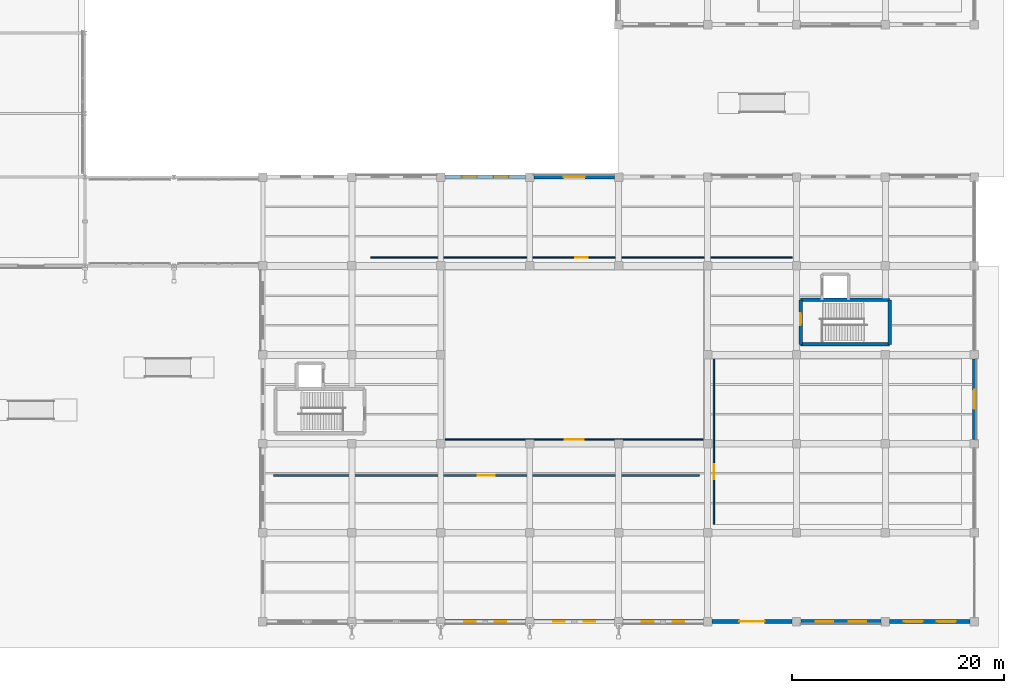
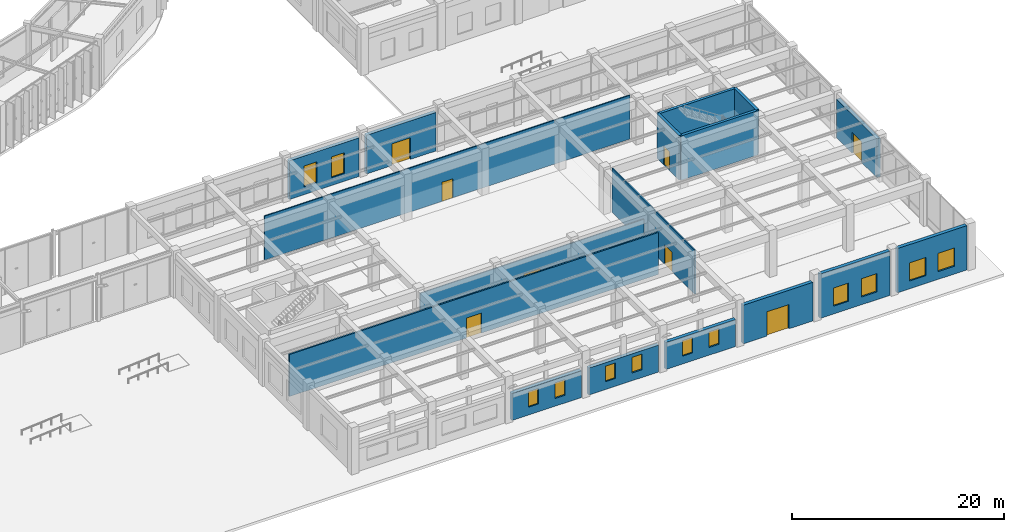
# One storey, part 132 of 157: 17 walls, 12 windows, 8 doors, 20 openings.
"""IFC4 building model written with IfcOpenShell, lengths in metres."""

from ifc_helpers import new_model, si_unit, direction, frame, frame_2d, origin, place, context, subcontext, project, spatial, rectangle, extrude, material, layer, layer_set, type_object, element, fill, save


model = new_model("IFC4")

# Units and contexts
model_context = context("Model", 3, precision=1e-05, world=origin(), true_north=direction((0.0, 1.0)))
body_context = subcontext(model_context, "Body", "Model", "MODEL_VIEW")
ifc_project = project(units=[si_unit("LENGTHUNIT", "METRE"), si_unit("AREAUNIT", "SQUARE_METRE"), si_unit("VOLUMEUNIT", "CUBIC_METRE"), si_unit("PLANEANGLEUNIT", "RADIAN"), si_unit("MASSUNIT", "GRAM", prefix="KILO"), si_unit("THERMODYNAMICTEMPERATUREUNIT", "KELVIN"), si_unit("POWERUNIT", "WATT")], contexts=[model_context])

# Site, building, storey
site_placement = place(None, origin())
site = spatial("IfcSite", under=ifc_project, at=site_placement, CompositionType="ELEMENT")
building_placement = place(site_placement, origin())
building = spatial("IfcBuilding", under=site, at=building_placement, Name="Darbajah Civic Hall", CompositionType="ELEMENT")
storey_placement = place(building_placement, origin())
storey = spatial("IfcBuildingStorey", under=building, at=storey_placement, Name="L00", CompositionType="ELEMENT", Elevation=0.0)

# Walls
ifc_material_1 = material(Name="Concrete C45/55", Category="concrete")
ifc_layer_1 = layer(ifc_material_1, 0.300048828125, Name="Concrete C45/55")
ifc_layer_set_1 = layer_set([ifc_layer_1], Name="Concrete C45/55")
wall_type_1 = type_object("IfcWallType", Name="Core Shear Wall 300mm", PredefinedType="SHEAR", material=ifc_layer_set_1)
wall_1_placement = place(storey_placement, frame((161.800048828125, 26.199951171875, 0.0), z_axis=(0.0, 0.0, 1.0), x_axis=(1.0, 0.0, 0.0)))
element("IfcWall", 1, at=wall_1_placement, inside=storey, type_object=wall_type_1, Name="L00 core C07 shear wall S", PredefinedType="SHEAR", context=body_context, shape_type="SweptSolid", body=[
    extrude(rectangle(XDim=8.39990234375, YDim=0.300048828125, at=frame_2d((4.199951171875, 0.0))), origin(), (0.0, 0.0, 1.0), 5.1201171875),
])
wall_2_placement = place(storey_placement, frame((170.199951171875, 26.199951171875, 0.0), z_axis=(0.0, 0.0, 1.0), x_axis=(0.0, 1.0, 0.0)))
element("IfcWall", 2, at=wall_2_placement, inside=storey, type_object=wall_type_1, Name="L00 core C07 shear wall E", PredefinedType="SHEAR", context=body_context, shape_type="SweptSolid", body=[
    extrude(rectangle(XDim=4.199951171875, YDim=0.300048828125, at=frame_2d((2.10009765625, 0.0))), origin(), (0.0, 0.0, 1.0), 5.1201171875),
])
wall_3_placement = place(storey_placement, frame((170.199951171875, 30.39990234375, 0.0), z_axis=(0.0, 0.0, 1.0), x_axis=(-1.0, 0.0, 0.0)))
element("IfcWall", 3, at=wall_3_placement, inside=storey, type_object=wall_type_1, Name="L00 core C07 shear wall N", PredefinedType="SHEAR", context=body_context, shape_type="SweptSolid", body=[
    extrude(rectangle(XDim=8.39990234375, YDim=0.300048828125, at=frame_2d((4.199951171875, 0.0))), origin(), (0.0, 0.0, 1.0), 5.1201171875),
])

# Wall, opening, door
wall_4_placement = place(storey_placement, frame((161.800048828125, 30.39990234375, 0.0), z_axis=(0.0, 0.0, 1.0), x_axis=(0.0, -1.0, 0.0)))
wall_4 = element("IfcWall", 4, at=wall_4_placement, inside=storey, type_object=wall_type_1, Name="L00 core C07 shear wall W", PredefinedType="SHEAR", context=body_context, shape_type="SweptSolid", body=[
    extrude(rectangle(XDim=4.199951171875, YDim=0.300048828125, at=frame_2d((2.10009765625, 0.0))), origin(), (0.0, 0.0, 1.0), 5.1201171875),
])
opening_1_placement = place(wall_4_placement, frame((1.25, 0.0, 0.0)))
opening_1 = element("IfcOpeningElement", 5, at=opening_1_placement, cuts=wall_4, Name="Opening SD-0081", PredefinedType="OPENING", context=body_context, shape_type="SweptSolid", body=[
    extrude(rectangle(XDim=1.14990234375, YDim=2.199951171875, at=frame_2d((0.574951171875, 1.10009765625))), frame((0.0, 0.159912109375, 0.0), z_axis=(0.0, -1.0, 0.0), x_axis=(1.0, 0.0, 0.0)), (0.0, 0.0, 1.0), 0.320068359375),
])
ifc_material_2 = material(Name="Steel Rated Core Door", Category="steel")
door_type_1 = type_object("IfcDoorType", Name="Interior Door 1150x2200", OperationType="NOTDEFINED", PredefinedType="DOOR", material=ifc_material_2)
door_1_placement = place(opening_1_placement, frame((1.14990234375, 0.0, 0.0), z_axis=(0.0, 0.0, 1.0), x_axis=(-1.0, 0.0, 0.0)))
door_1 = element("IfcDoor", 6, at=door_1_placement, inside=storey, type_object=door_type_1, Name="L00 stair ST07 fire door SD-0081", OperationType="SINGLE_SWING_RIGHT", OverallHeight=2.199951171875, OverallWidth=1.14990234375, PredefinedType="DOOR", context=body_context, shape_type="SweptSolid", body=[
    extrude(rectangle(XDim=1.14990234375, YDim=2.199951171875, at=frame_2d((0.574951171875, 1.10009765625))), frame((0.0, 0.02490234375, 0.0), z_axis=(0.0, -1.0, 0.0), x_axis=(1.0, 0.0, 0.0)), (0.0, 0.0, 1.0), 0.050048828125),
])
fill(opening_1, door_1)

# Wall, openings, windows
ifc_material_3 = material(Name="Red Dholpur Sandstone Cladding", Category="masonry")
ifc_layer_2 = layer(ifc_material_3, 0.3798828125, Name="Red Dholpur Sandstone Cladding")
ifc_layer_set_2 = layer_set([ifc_layer_2], Name="Red Dholpur Sandstone Cladding")
wall_type_2 = type_object("IfcWallType", Name="Exterior Wall 380mm", PredefinedType="SOLIDWALL", material=ifc_layer_set_2)
wall_5_placement = place(storey_placement, frame((128.201904296875, 0.0, 0.0), z_axis=(0.0, 0.0, 1.0), x_axis=(1.0, 0.0, 0.0)))
wall_5 = element("IfcWall", 7, at=wall_5_placement, inside=storey, type_object=wall_type_2, Name="L00 exterior wall EW-380", PredefinedType="SOLIDWALL", context=body_context, shape_type="SweptSolid", body=[
    extrude(rectangle(XDim=7.59619140625, YDim=0.3798828125, at=frame_2d((3.798095703125, 0.0))), origin(), (0.0, 0.0, 1.0), 3.10009765625),
])
opening_2_placement = place(wall_5_placement, frame((1.798583984375, 0.0, 0.89990234375)))
opening_2 = element("IfcOpeningElement", 8, at=opening_2_placement, cuts=wall_5, Name="Opening WN-17", PredefinedType="OPENING", context=body_context, shape_type="SweptSolid", body=[
    extrude(rectangle(XDim=1.10009765625, YDim=1.800048828125, at=frame_2d((0.550048828125, 0.89990234375))), frame((0.0, 0.199951171875, 0.0), z_axis=(0.0, -1.0, 0.0), x_axis=(1.0, 0.0, 0.0)), (0.0, 0.0, 1.0), 0.39990234375),
])
opening_3_placement = place(wall_5_placement, frame((4.697265625, 0.0, 0.89990234375)))
opening_3 = element("IfcOpeningElement", 9, at=opening_3_placement, cuts=wall_5, Name="Opening WN-17", PredefinedType="OPENING", context=body_context, shape_type="SweptSolid", body=[
    extrude(rectangle(XDim=1.10009765625, YDim=1.800048828125, at=frame_2d((0.550048828125, 0.89990234375))), frame((0.0, 0.199951171875, 0.0), z_axis=(0.0, -1.0, 0.0), x_axis=(1.0, 0.0, 0.0)), (0.0, 0.0, 1.0), 0.39990234375),
])
ifc_material_4 = material(Name="Low-E Solar Control Double Glazing", Category="glass")
window_type_1 = type_object("IfcWindowType", Name="Facade Window 1100x1800", PartitioningType="SINGLE_PANEL", PredefinedType="WINDOW", material=ifc_material_4)
window_1_placement = place(opening_2_placement, origin())
window_1 = element("IfcWindow", 10, at=window_1_placement, inside=storey, type_object=window_type_1, Name="L00 facade window WN-17", OverallHeight=1.800048828125, OverallWidth=1.10009765625, PartitioningType="SINGLE_PANEL", PredefinedType="WINDOW", context=body_context, shape_type="SweptSolid", body=[
    extrude(rectangle(XDim=1.10009765625, YDim=1.800048828125, at=frame_2d((0.550048828125, 0.89990234375))), frame((0.0, 0.030029296875, 0.0), z_axis=(0.0, -1.0, 0.0), x_axis=(1.0, 0.0, 0.0)), (0.0, 0.0, 1.0), 0.06005859375),
])
fill(opening_2, window_1)
window_2_placement = place(opening_3_placement, origin())
window_2 = element("IfcWindow", 11, at=window_2_placement, inside=storey, type_object=window_type_1, Name="L00 facade window WN-17", OverallHeight=1.800048828125, OverallWidth=1.10009765625, PartitioningType="SINGLE_PANEL", PredefinedType="WINDOW", context=body_context, shape_type="SweptSolid", body=[
    extrude(rectangle(XDim=1.10009765625, YDim=1.800048828125, at=frame_2d((0.550048828125, 0.89990234375))), frame((0.0, 0.030029296875, 0.0), z_axis=(0.0, -1.0, 0.0), x_axis=(1.0, 0.0, 0.0)), (0.0, 0.0, 1.0), 0.06005859375),
])
fill(opening_3, window_2)

wall_6_placement = place(storey_placement, frame((136.60205078125, 0.0, 0.0), z_axis=(0.0, 0.0, 1.0), x_axis=(1.0, 0.0, 0.0)))
wall_6 = element("IfcWall", 12, at=wall_6_placement, inside=storey, type_object=wall_type_2, Name="L00 exterior wall EW-380", PredefinedType="SOLIDWALL", context=body_context, shape_type="SweptSolid", body=[
    extrude(rectangle(XDim=7.595947265625, YDim=0.3798828125, at=frame_2d((3.7978515625, 0.0))), origin(), (0.0, 0.0, 1.0), 3.10009765625),
])
opening_4_placement = place(wall_6_placement, frame((1.798583984375, 0.0, 0.89990234375)))
opening_4 = element("IfcOpeningElement", 13, at=opening_4_placement, cuts=wall_6, Name="Opening WN-17", PredefinedType="OPENING", context=body_context, shape_type="SweptSolid", body=[
    extrude(rectangle(XDim=1.10009765625, YDim=1.800048828125, at=frame_2d((0.550048828125, 0.89990234375))), frame((0.0, 0.199951171875, 0.0), z_axis=(0.0, -1.0, 0.0), x_axis=(1.0, 0.0, 0.0)), (0.0, 0.0, 1.0), 0.39990234375),
])
opening_5_placement = place(wall_6_placement, frame((4.697265625, 0.0, 0.89990234375)))
opening_5 = element("IfcOpeningElement", 14, at=opening_5_placement, cuts=wall_6, Name="Opening WN-17", PredefinedType="OPENING", context=body_context, shape_type="SweptSolid", body=[
    extrude(rectangle(XDim=1.10009765625, YDim=1.800048828125, at=frame_2d((0.550048828125, 0.89990234375))), frame((0.0, 0.199951171875, 0.0), z_axis=(0.0, -1.0, 0.0), x_axis=(1.0, 0.0, 0.0)), (0.0, 0.0, 1.0), 0.39990234375),
])
window_3_placement = place(opening_4_placement, origin())
window_3 = element("IfcWindow", 15, at=window_3_placement, inside=storey, type_object=window_type_1, Name="L00 facade window WN-17", OverallHeight=1.800048828125, OverallWidth=1.10009765625, PartitioningType="SINGLE_PANEL", PredefinedType="WINDOW", context=body_context, shape_type="SweptSolid", body=[
    extrude(rectangle(XDim=1.10009765625, YDim=1.800048828125, at=frame_2d((0.550048828125, 0.89990234375))), frame((0.0, 0.030029296875, 0.0), z_axis=(0.0, -1.0, 0.0), x_axis=(1.0, 0.0, 0.0)), (0.0, 0.0, 1.0), 0.06005859375),
])
fill(opening_4, window_3)
window_4_placement = place(opening_5_placement, origin())
window_4 = element("IfcWindow", 16, at=window_4_placement, inside=storey, type_object=window_type_1, Name="L00 facade window WN-17", OverallHeight=1.800048828125, OverallWidth=1.10009765625, PartitioningType="SINGLE_PANEL", PredefinedType="WINDOW", context=body_context, shape_type="SweptSolid", body=[
    extrude(rectangle(XDim=1.10009765625, YDim=1.800048828125, at=frame_2d((0.550048828125, 0.89990234375))), frame((0.0, 0.030029296875, 0.0), z_axis=(0.0, -1.0, 0.0), x_axis=(1.0, 0.0, 0.0)), (0.0, 0.0, 1.0), 0.06005859375),
])
fill(opening_5, window_4)

wall_7_placement = place(storey_placement, frame((145.001953125, 0.0, 0.0), z_axis=(0.0, 0.0, 1.0), x_axis=(1.0, 0.0, 0.0)))
wall_7 = element("IfcWall", 17, at=wall_7_placement, inside=storey, type_object=wall_type_2, Name="L00 exterior wall EW-380", PredefinedType="SOLIDWALL", context=body_context, shape_type="SweptSolid", body=[
    extrude(rectangle(XDim=7.595947265625, YDim=0.3798828125, at=frame_2d((3.7978515625, 0.0))), origin(), (0.0, 0.0, 1.0), 3.10009765625),
])
opening_6_placement = place(wall_7_placement, frame((1.798583984375, 0.0, 0.89990234375)))
opening_6 = element("IfcOpeningElement", 18, at=opening_6_placement, cuts=wall_7, Name="Opening WN-17", PredefinedType="OPENING", context=body_context, shape_type="SweptSolid", body=[
    extrude(rectangle(XDim=1.10009765625, YDim=1.800048828125, at=frame_2d((0.550048828125, 0.89990234375))), frame((0.0, 0.199951171875, 0.0), z_axis=(0.0, -1.0, 0.0), x_axis=(1.0, 0.0, 0.0)), (0.0, 0.0, 1.0), 0.39990234375),
])
opening_7_placement = place(wall_7_placement, frame((4.697265625, 0.0, 0.89990234375)))
opening_7 = element("IfcOpeningElement", 19, at=opening_7_placement, cuts=wall_7, Name="Opening WN-17", PredefinedType="OPENING", context=body_context, shape_type="SweptSolid", body=[
    extrude(rectangle(XDim=1.10009765625, YDim=1.800048828125, at=frame_2d((0.550048828125, 0.89990234375))), frame((0.0, 0.199951171875, 0.0), z_axis=(0.0, -1.0, 0.0), x_axis=(1.0, 0.0, 0.0)), (0.0, 0.0, 1.0), 0.39990234375),
])
window_5_placement = place(opening_6_placement, origin())
window_5 = element("IfcWindow", 20, at=window_5_placement, inside=storey, type_object=window_type_1, Name="L00 facade window WN-17", OverallHeight=1.800048828125, OverallWidth=1.10009765625, PartitioningType="SINGLE_PANEL", PredefinedType="WINDOW", context=body_context, shape_type="SweptSolid", body=[
    extrude(rectangle(XDim=1.10009765625, YDim=1.800048828125, at=frame_2d((0.550048828125, 0.89990234375))), frame((0.0, 0.030029296875, 0.0), z_axis=(0.0, -1.0, 0.0), x_axis=(1.0, 0.0, 0.0)), (0.0, 0.0, 1.0), 0.06005859375),
])
fill(opening_6, window_5)
window_6_placement = place(opening_7_placement, origin())
window_6 = element("IfcWindow", 21, at=window_6_placement, inside=storey, type_object=window_type_1, Name="L00 facade window WN-17", OverallHeight=1.800048828125, OverallWidth=1.10009765625, PartitioningType="SINGLE_PANEL", PredefinedType="WINDOW", context=body_context, shape_type="SweptSolid", body=[
    extrude(rectangle(XDim=1.10009765625, YDim=1.800048828125, at=frame_2d((0.550048828125, 0.89990234375))), frame((0.0, 0.030029296875, 0.0), z_axis=(0.0, -1.0, 0.0), x_axis=(1.0, 0.0, 0.0)), (0.0, 0.0, 1.0), 0.06005859375),
])
fill(opening_7, window_6)

# Wall, opening, door
wall_8_placement = place(storey_placement, frame((153.402099609375, 0.0, 0.0), z_axis=(0.0, 0.0, 1.0), x_axis=(1.0, 0.0, 0.0)))
wall_8 = element("IfcWall", 22, at=wall_8_placement, inside=storey, type_object=wall_type_2, Name="L00 exterior wall EW-380", PredefinedType="SOLIDWALL", context=body_context, shape_type="SweptSolid", body=[
    extrude(rectangle(XDim=7.595947265625, YDim=0.3798828125, at=frame_2d((3.7978515625, 0.0))), origin(), (0.0, 0.0, 1.0), 4.449951171875),
])
opening_8_placement = place(wall_8_placement, frame((2.597900390625, 0.0, 0.0)))
opening_8 = element("IfcOpeningElement", 23, at=opening_8_placement, cuts=wall_8, Name="Opening E-007", PredefinedType="OPENING", context=body_context, shape_type="SweptSolid", body=[
    extrude(rectangle(XDim=2.39990234375, YDim=2.800048828125, at=frame_2d((1.199951171875, 1.39990234375))), frame((0.0, 0.199951171875, 0.0), z_axis=(0.0, -1.0, 0.0), x_axis=(1.0, 0.0, 0.0)), (0.0, 0.0, 1.0), 0.39990234375),
])
ifc_material_5 = material(Name="Anodised Bronze Aluminium and Laminated Glass", Category="aluminium")
door_type_2 = type_object("IfcDoorType", Name="Exterior Door 2400x2800", OperationType="NOTDEFINED", PredefinedType="DOOR", material=ifc_material_5)
door_2_placement = place(opening_8_placement, frame((2.39990234375, 0.0, 0.0), z_axis=(0.0, 0.0, 1.0), x_axis=(-1.0, 0.0, 0.0)))
door_2 = element("IfcDoor", 24, at=door_2_placement, inside=storey, type_object=door_type_2, Name="Main Maidan Civic Entrance E-007", OperationType="DOUBLE_DOOR_SINGLE_SWING", OverallHeight=2.800048828125, OverallWidth=2.39990234375, PredefinedType="DOOR", context=body_context, shape_type="SweptSolid", body=[
    extrude(rectangle(XDim=2.39990234375, YDim=2.800048828125, at=frame_2d((1.199951171875, 1.39990234375))), frame((0.0, 0.02490234375, 0.0), z_axis=(0.0, -1.0, 0.0), x_axis=(1.0, 0.0, 0.0)), (0.0, 0.0, 1.0), 0.050048828125),
])
fill(opening_8, door_2)

# Wall, openings, windows
wall_9_placement = place(storey_placement, frame((161.802001953125, 0.0, 0.0), z_axis=(0.0, 0.0, 1.0), x_axis=(1.0, 0.0, 0.0)))
wall_9 = element("IfcWall", 25, at=wall_9_placement, inside=storey, type_object=wall_type_2, Name="L00 exterior wall EW-380", PredefinedType="SOLIDWALL", context=body_context, shape_type="SweptSolid", body=[
    extrude(rectangle(XDim=7.595947265625, YDim=0.3798828125, at=frame_2d((3.7978515625, 0.0))), origin(), (0.0, 0.0, 1.0), 5.10009765625),
])
opening_9_placement = place(wall_9_placement, frame((1.431884765625, 0.0, 0.89990234375)))
opening_9 = element("IfcOpeningElement", 26, at=opening_9_placement, cuts=wall_9, Name="Opening WN-04", PredefinedType="OPENING", context=body_context, shape_type="SweptSolid", body=[
    extrude(rectangle(XDim=1.64990234375, YDim=2.10009765625, at=frame_2d((0.824951171875, 1.050048828125))), frame((0.0, 0.199951171875, 0.0), z_axis=(0.0, -1.0, 0.0), x_axis=(1.0, 0.0, 0.0)), (0.0, 0.0, 1.0), 0.39990234375),
])
opening_10_placement = place(wall_9_placement, frame((4.513916015625, 0.0, 0.89990234375)))
opening_10 = element("IfcOpeningElement", 27, at=opening_10_placement, cuts=wall_9, Name="Opening WN-04", PredefinedType="OPENING", context=body_context, shape_type="SweptSolid", body=[
    extrude(rectangle(XDim=1.64990234375, YDim=2.10009765625, at=frame_2d((0.824951171875, 1.050048828125))), frame((0.0, 0.199951171875, 0.0), z_axis=(0.0, -1.0, 0.0), x_axis=(1.0, 0.0, 0.0)), (0.0, 0.0, 1.0), 0.39990234375),
])
window_type_2 = type_object("IfcWindowType", Name="Facade Window 1650x2100", PartitioningType="DOUBLE_PANEL_VERTICAL", PredefinedType="WINDOW", material=ifc_material_4)
window_7_placement = place(opening_9_placement, origin())
window_7 = element("IfcWindow", 28, at=window_7_placement, inside=storey, type_object=window_type_2, Name="L00 facade window WN-04", OverallHeight=2.10009765625, OverallWidth=1.64990234375, PartitioningType="SINGLE_PANEL", PredefinedType="WINDOW", context=body_context, shape_type="SweptSolid", body=[
    extrude(rectangle(XDim=1.64990234375, YDim=2.10009765625, at=frame_2d((0.824951171875, 1.050048828125))), frame((0.0, 0.030029296875, 0.0), z_axis=(0.0, -1.0, 0.0), x_axis=(1.0, 0.0, 0.0)), (0.0, 0.0, 1.0), 0.06005859375),
])
fill(opening_9, window_7)
window_8_placement = place(opening_10_placement, origin())
window_8 = element("IfcWindow", 29, at=window_8_placement, inside=storey, type_object=window_type_2, Name="L00 facade window WN-04", OverallHeight=2.10009765625, OverallWidth=1.64990234375, PartitioningType="SINGLE_PANEL", PredefinedType="WINDOW", context=body_context, shape_type="SweptSolid", body=[
    extrude(rectangle(XDim=1.64990234375, YDim=2.10009765625, at=frame_2d((0.824951171875, 1.050048828125))), frame((0.0, 0.030029296875, 0.0), z_axis=(0.0, -1.0, 0.0), x_axis=(1.0, 0.0, 0.0)), (0.0, 0.0, 1.0), 0.06005859375),
])
fill(opening_10, window_8)

wall_10_placement = place(storey_placement, frame((170.201904296875, 0.0, 0.0), z_axis=(0.0, 0.0, 1.0), x_axis=(1.0, 0.0, 0.0)))
wall_10 = element("IfcWall", 30, at=wall_10_placement, inside=storey, type_object=wall_type_2, Name="L00 exterior wall EW-380", PredefinedType="SOLIDWALL", context=body_context, shape_type="SweptSolid", body=[
    extrude(rectangle(XDim=7.59619140625, YDim=0.3798828125, at=frame_2d((3.798095703125, 0.0))), origin(), (0.0, 0.0, 1.0), 5.10009765625),
])
opening_11_placement = place(wall_10_placement, frame((1.33203125, 0.0, 0.89990234375)))
opening_11 = element("IfcOpeningElement", 31, at=opening_11_placement, cuts=wall_10, Name="Opening WN-05", PredefinedType="OPENING", context=body_context, shape_type="SweptSolid", body=[
    extrude(rectangle(XDim=1.800048828125, YDim=2.10009765625, at=frame_2d((0.89990234375, 1.050048828125))), frame((0.0, 0.199951171875, 0.0), z_axis=(0.0, -1.0, 0.0), x_axis=(1.0, 0.0, 0.0)), (0.0, 0.0, 1.0), 0.39990234375),
])
opening_12_placement = place(wall_10_placement, frame((4.464111328125, 0.0, 0.89990234375)))
opening_12 = element("IfcOpeningElement", 32, at=opening_12_placement, cuts=wall_10, Name="Opening WN-05", PredefinedType="OPENING", context=body_context, shape_type="SweptSolid", body=[
    extrude(rectangle(XDim=1.800048828125, YDim=2.10009765625, at=frame_2d((0.89990234375, 1.050048828125))), frame((0.0, 0.199951171875, 0.0), z_axis=(0.0, -1.0, 0.0), x_axis=(1.0, 0.0, 0.0)), (0.0, 0.0, 1.0), 0.39990234375),
])
window_type_3 = type_object("IfcWindowType", Name="Facade Window 1800x2100", PartitioningType="DOUBLE_PANEL_VERTICAL", PredefinedType="WINDOW", material=ifc_material_4)
window_9_placement = place(opening_11_placement, origin())
window_9 = element("IfcWindow", 33, at=window_9_placement, inside=storey, type_object=window_type_3, Name="L00 facade window WN-05", OverallHeight=2.10009765625, OverallWidth=1.800048828125, PartitioningType="SINGLE_PANEL", PredefinedType="WINDOW", context=body_context, shape_type="SweptSolid", body=[
    extrude(rectangle(XDim=1.800048828125, YDim=2.10009765625, at=frame_2d((0.89990234375, 1.050048828125))), frame((0.0, 0.030029296875, 0.0), z_axis=(0.0, -1.0, 0.0), x_axis=(1.0, 0.0, 0.0)), (0.0, 0.0, 1.0), 0.06005859375),
])
fill(opening_11, window_9)
window_10_placement = place(opening_12_placement, origin())
window_10 = element("IfcWindow", 34, at=window_10_placement, inside=storey, type_object=window_type_3, Name="L00 facade window WN-05", OverallHeight=2.10009765625, OverallWidth=1.800048828125, PartitioningType="SINGLE_PANEL", PredefinedType="WINDOW", context=body_context, shape_type="SweptSolid", body=[
    extrude(rectangle(XDim=1.800048828125, YDim=2.10009765625, at=frame_2d((0.89990234375, 1.050048828125))), frame((0.0, 0.030029296875, 0.0), z_axis=(0.0, -1.0, 0.0), x_axis=(1.0, 0.0, 0.0)), (0.0, 0.0, 1.0), 0.06005859375),
])
fill(opening_12, window_10)

# Wall, opening, door
wall_11_placement = place(storey_placement, frame((178.199951171875, 17.201904296875, 0.0), z_axis=(0.0, 0.0, 1.0), x_axis=(0.0, 1.0, 0.0)))
wall_11 = element("IfcWall", 35, at=wall_11_placement, inside=storey, type_object=wall_type_2, Name="L00 exterior wall EW-380", PredefinedType="SOLIDWALL", context=body_context, shape_type="SweptSolid", body=[
    extrude(rectangle(XDim=7.59619140625, YDim=0.3798828125, at=frame_2d((3.798095703125, 0.0))), origin(), (0.0, 0.0, 1.0), 4.449951171875),
])
opening_13_placement = place(wall_11_placement, frame((2.89794921875, 0.0, 0.0)))
opening_13 = element("IfcOpeningElement", 36, at=opening_13_placement, cuts=wall_11, Name="Opening E-008", PredefinedType="OPENING", context=body_context, shape_type="SweptSolid", body=[
    extrude(rectangle(XDim=1.800048828125, YDim=2.39990234375, at=frame_2d((0.89990234375, 1.199951171875))), frame((0.0, 0.199951171875, 0.0), z_axis=(0.0, -1.0, 0.0), x_axis=(1.0, 0.0, 0.0)), (0.0, 0.0, 1.0), 0.39990234375),
])
door_type_3 = type_object("IfcDoorType", Name="Exterior Door 1800x2400", OperationType="NOTDEFINED", PredefinedType="DOOR", material=ifc_material_5)
door_3_placement = place(opening_13_placement, frame((1.800048828125, 0.0, 0.0), z_axis=(0.0, 0.0, 1.0), x_axis=(-1.0, 0.0, 0.0)))
door_3 = element("IfcDoor", 37, at=door_3_placement, inside=storey, type_object=door_type_3, Name="Pedestrian Final Exit E-008", OperationType="DOUBLE_DOOR_SINGLE_SWING", OverallHeight=2.39990234375, OverallWidth=1.800048828125, PredefinedType="DOOR", context=body_context, shape_type="SweptSolid", body=[
    extrude(rectangle(XDim=1.800048828125, YDim=2.39990234375, at=frame_2d((0.89990234375, 1.199951171875))), frame((0.0, 0.02490234375, 0.0), z_axis=(0.0, -1.0, 0.0), x_axis=(1.0, 0.0, 0.0)), (0.0, 0.0, 1.0), 0.050048828125),
])
fill(opening_13, door_3)

wall_12_placement = place(storey_placement, frame((144.197998046875, 42.0, 0.0), z_axis=(0.0, 0.0, 1.0), x_axis=(-1.0, 0.0, 0.0)))
wall_12 = element("IfcWall", 38, at=wall_12_placement, inside=storey, type_object=wall_type_2, Name="L00 exterior wall EW-380", PredefinedType="SOLIDWALL", context=body_context, shape_type="SweptSolid", body=[
    extrude(rectangle(XDim=7.595947265625, YDim=0.3798828125, at=frame_2d((3.7978515625, 0.0))), origin(), (0.0, 0.0, 1.0), 4.449951171875),
])
opening_14_placement = place(wall_12_placement, frame((2.798095703125, 0.0, 0.0)))
opening_14 = element("IfcOpeningElement", 39, at=opening_14_placement, cuts=wall_12, Name="Opening E-009", PredefinedType="OPENING", context=body_context, shape_type="SweptSolid", body=[
    extrude(rectangle(XDim=2.0, YDim=2.5, at=frame_2d((1.0, 1.25))), frame((0.0, 0.199951171875, 0.0), z_axis=(0.0, -1.0, 0.0), x_axis=(1.0, 0.0, 0.0)), (0.0, 0.0, 1.0), 0.39990234375),
])
door_type_4 = type_object("IfcDoorType", Name="Exterior Door 2000x2500", OperationType="NOTDEFINED", PredefinedType="DOOR", material=ifc_material_5)
door_4_placement = place(opening_14_placement, frame((2.0, 0.0, 0.0), z_axis=(0.0, 0.0, 1.0), x_axis=(-1.0, 0.0, 0.0)))
door_4 = element("IfcDoor", 40, at=door_4_placement, inside=storey, type_object=door_type_4, Name="Pedestrian Final Exit E-009", OperationType="DOUBLE_DOOR_SINGLE_SWING", OverallHeight=2.5, OverallWidth=2.0, PredefinedType="DOOR", context=body_context, shape_type="SweptSolid", body=[
    extrude(rectangle(XDim=2.0, YDim=2.5, at=frame_2d((1.0, 1.25))), frame((0.0, 0.02490234375, 0.0), z_axis=(0.0, -1.0, 0.0), x_axis=(1.0, 0.0, 0.0)), (0.0, 0.0, 1.0), 0.050048828125),
])
fill(opening_14, door_4)

# Wall, openings, windows
wall_13_placement = place(storey_placement, frame((135.798095703125, 42.0, 0.0), z_axis=(0.0, 0.0, 1.0), x_axis=(-1.0, 0.0, 0.0)))
wall_13 = element("IfcWall", 41, at=wall_13_placement, inside=storey, type_object=wall_type_2, Name="L00 exterior wall EW-380", PredefinedType="SOLIDWALL", context=body_context, shape_type="SweptSolid", body=[
    extrude(rectangle(XDim=7.59619140625, YDim=0.3798828125, at=frame_2d((3.798095703125, 0.0))), origin(), (0.0, 0.0, 1.0), 4.449951171875),
])
opening_15_placement = place(wall_13_placement, frame((1.5986328125, 0.0, 0.89990234375)))
opening_15 = element("IfcOpeningElement", 42, at=opening_15_placement, cuts=wall_13, Name="Opening WN-10", PredefinedType="OPENING", context=body_context, shape_type="SweptSolid", body=[
    extrude(rectangle(XDim=1.39990234375, YDim=2.39990234375, at=frame_2d((0.699951171875, 1.199951171875))), frame((0.0, 0.199951171875, 0.0), z_axis=(0.0, -1.0, 0.0), x_axis=(1.0, 0.0, 0.0)), (0.0, 0.0, 1.0), 0.39990234375),
])
opening_16_placement = place(wall_13_placement, frame((4.597412109375, 0.0, 0.89990234375)))
opening_16 = element("IfcOpeningElement", 43, at=opening_16_placement, cuts=wall_13, Name="Opening WN-10", PredefinedType="OPENING", context=body_context, shape_type="SweptSolid", body=[
    extrude(rectangle(XDim=1.39990234375, YDim=2.39990234375, at=frame_2d((0.699951171875, 1.199951171875))), frame((0.0, 0.199951171875, 0.0), z_axis=(0.0, -1.0, 0.0), x_axis=(1.0, 0.0, 0.0)), (0.0, 0.0, 1.0), 0.39990234375),
])
window_type_4 = type_object("IfcWindowType", Name="Facade Window 1400x2400", PartitioningType="SINGLE_PANEL", PredefinedType="WINDOW", material=ifc_material_4)
window_11_placement = place(opening_15_placement, origin())
window_11 = element("IfcWindow", 44, at=window_11_placement, inside=storey, type_object=window_type_4, Name="L00 facade window WN-10", OverallHeight=2.39990234375, OverallWidth=1.39990234375, PartitioningType="SINGLE_PANEL", PredefinedType="WINDOW", context=body_context, shape_type="SweptSolid", body=[
    extrude(rectangle(XDim=1.39990234375, YDim=2.39990234375, at=frame_2d((0.699951171875, 1.199951171875))), frame((0.0, 0.030029296875, 0.0), z_axis=(0.0, -1.0, 0.0), x_axis=(1.0, 0.0, 0.0)), (0.0, 0.0, 1.0), 0.06005859375),
])
fill(opening_15, window_11)
window_12_placement = place(opening_16_placement, origin())
window_12 = element("IfcWindow", 45, at=window_12_placement, inside=storey, type_object=window_type_4, Name="L00 facade window WN-10", OverallHeight=2.39990234375, OverallWidth=1.39990234375, PartitioningType="SINGLE_PANEL", PredefinedType="WINDOW", context=body_context, shape_type="SweptSolid", body=[
    extrude(rectangle(XDim=1.39990234375, YDim=2.39990234375, at=frame_2d((0.699951171875, 1.199951171875))), frame((0.0, 0.030029296875, 0.0), z_axis=(0.0, -1.0, 0.0), x_axis=(1.0, 0.0, 0.0)), (0.0, 0.0, 1.0), 0.06005859375),
])
fill(opening_16, window_12)

# Wall, opening, door
ifc_material_6 = material(Name="Acoustic Gypsum Partition")
ifc_layer_3 = layer(ifc_material_6, 0.114990234375, Name="Acoustic Gypsum Partition")
ifc_layer_set_3 = layer_set([ifc_layer_3], Name="Acoustic Gypsum Partition")
wall_type_3 = type_object("IfcWallType", Name="Interior Partition 115mm", PredefinedType="PARTITIONING", material=ifc_layer_set_3)
wall_14_placement = place(storey_placement, frame((128.199951171875, 17.199951171875, 0.0), z_axis=(0.0, 0.0, 1.0), x_axis=(1.0, 0.0, 0.0)))
wall_14 = element("IfcWall", 46, at=wall_14_placement, inside=storey, type_object=wall_type_3, Name="L00 interior partition L00-V3-01", PredefinedType="PARTITIONING", context=body_context, shape_type="SweptSolid", body=[
    extrude(rectangle(XDim=24.400146484375, YDim=0.114990234375, at=frame_2d((12.2001953125, 0.0))), origin(), (0.0, 0.0, 1.0), 4.14990234375),
])
opening_17_placement = place(wall_14_placement, frame((11.300048828125, 0.0, 0.0)))
opening_17 = element("IfcOpeningElement", 47, at=opening_17_placement, cuts=wall_14, Name="Opening D-0163", PredefinedType="OPENING", context=body_context, shape_type="SweptSolid", body=[
    extrude(rectangle(XDim=1.800048828125, YDim=2.39990234375, at=frame_2d((0.89990234375, 1.199951171875))), frame((0.0, 0.0673828125, 0.0), z_axis=(0.0, -1.0, 0.0), x_axis=(1.0, 0.0, 0.0)), (0.0, 0.0, 1.0), 0.135009765625),
])
ifc_material_7 = material(Name="Painted Hardwood Fire Door", Category="wood")
door_type_5 = type_object("IfcDoorType", Name="Interior Door 1800x2400", OperationType="NOTDEFINED", PredefinedType="DOOR", material=ifc_material_7)
door_5_placement = place(opening_17_placement, origin())
door_5 = element("IfcDoor", 48, at=door_5_placement, inside=storey, type_object=door_type_5, Name="L00 L00-V3-01 door D-0163", OperationType="DOUBLE_DOOR_SINGLE_SWING", OverallHeight=2.39990234375, OverallWidth=1.800048828125, PredefinedType="DOOR", context=body_context, shape_type="SweptSolid", body=[
    extrude(rectangle(XDim=1.800048828125, YDim=2.39990234375, at=frame_2d((0.89990234375, 1.199951171875))), frame((0.0, 0.02490234375, 0.0), z_axis=(0.0, -1.0, 0.0), x_axis=(1.0, 0.0, 0.0)), (0.0, 0.0, 1.0), 0.050048828125),
])
fill(opening_17, door_5)

wall_15_placement = place(storey_placement, frame((121.199951171875, 34.39990234375, 0.0), z_axis=(0.0, 0.0, 1.0), x_axis=(1.0, 0.0, 0.0)))
wall_15 = element("IfcWall", 49, at=wall_15_placement, inside=storey, type_object=wall_type_3, Name="L00 interior partition L00-V3-04", PredefinedType="PARTITIONING", context=body_context, shape_type="SweptSolid", body=[
    extrude(rectangle(XDim=39.800048828125, YDim=0.114990234375, at=frame_2d((19.89990234375, 0.0))), origin(), (0.0, 0.0, 1.0), 5.06005859375),
])
opening_18_placement = place(wall_15_placement, frame((19.300048828125, 0.0, 0.0)))
opening_18 = element("IfcOpeningElement", 50, at=opening_18_placement, cuts=wall_15, Name="Opening D-0166", PredefinedType="OPENING", context=body_context, shape_type="SweptSolid", body=[
    extrude(rectangle(XDim=1.199951171875, YDim=2.199951171875, at=frame_2d((0.60009765625, 1.10009765625))), frame((0.0, 0.0673828125, 0.0), z_axis=(0.0, -1.0, 0.0), x_axis=(1.0, 0.0, 0.0)), (0.0, 0.0, 1.0), 0.135009765625),
])
door_type_6 = type_object("IfcDoorType", Name="Interior Door 1200x2200", OperationType="NOTDEFINED", PredefinedType="DOOR", material=ifc_material_7)
door_6_placement = place(opening_18_placement, origin())
door_6 = element("IfcDoor", 51, at=door_6_placement, inside=storey, type_object=door_type_6, Name="L00 L00-V3-04 door D-0166", OperationType="SINGLE_SWING_LEFT", OverallHeight=2.199951171875, OverallWidth=1.199951171875, PredefinedType="DOOR", context=body_context, shape_type="SweptSolid", body=[
    extrude(rectangle(XDim=1.199951171875, YDim=2.199951171875, at=frame_2d((0.60009765625, 1.10009765625))), frame((0.0, 0.02490234375, 0.0), z_axis=(0.0, -1.0, 0.0), x_axis=(1.0, 0.0, 0.0)), (0.0, 0.0, 1.0), 0.050048828125),
])
fill(opening_18, door_6)

ifc_material_8 = material(Name="Gypsum Plasterboard on Steel Stud", Category="steel")
ifc_layer_4 = layer(ifc_material_8, 0.135009765625, Name="Gypsum Plasterboard on Steel Stud")
ifc_layer_set_4 = layer_set([ifc_layer_4], Name="Gypsum Plasterboard on Steel Stud")
wall_type_4 = type_object("IfcWallType", Name="Interior Partition 135mm", PredefinedType="PARTITIONING", material=ifc_layer_set_4)
wall_16_placement = place(storey_placement, frame((153.60009765625, 9.199951171875, 0.0), z_axis=(0.0, 0.0, 1.0), x_axis=(0.0, 1.0, 0.0)))
wall_16 = element("IfcWall", 52, at=wall_16_placement, inside=storey, type_object=wall_type_4, Name="L00 interior partition L00-V3-03", PredefinedType="PARTITIONING", context=body_context, shape_type="SweptSolid", body=[
    extrude(rectangle(XDim=15.60009765625, YDim=0.135009765625, at=frame_2d((7.800048828125, 0.0))), origin(), (0.0, 0.0, 1.0), 5.06005859375),
])
opening_19_placement = place(wall_16_placement, frame((4.260009765625, 0.0, 0.0)))
opening_19 = element("IfcOpeningElement", 53, at=opening_19_placement, cuts=wall_16, Name="Opening D-0165", PredefinedType="OPENING", context=body_context, shape_type="SweptSolid", body=[
    extrude(rectangle(XDim=1.39990234375, YDim=2.25, at=frame_2d((0.699951171875, 1.125))), frame((0.0, 0.077392578125, 0.0), z_axis=(0.0, -1.0, 0.0), x_axis=(1.0, 0.0, 0.0)), (0.0, 0.0, 1.0), 0.155029296875),
])
door_type_7 = type_object("IfcDoorType", Name="Interior Door 1400x2250", OperationType="NOTDEFINED", PredefinedType="DOOR", material=ifc_material_7)
door_7_placement = place(opening_19_placement, origin())
door_7 = element("IfcDoor", 54, at=door_7_placement, inside=storey, type_object=door_type_7, Name="L00 L00-V3-03 door D-0165", OperationType="SINGLE_SWING_RIGHT", OverallHeight=2.25, OverallWidth=1.39990234375, PredefinedType="DOOR", context=body_context, shape_type="SweptSolid", body=[
    extrude(rectangle(XDim=1.39990234375, YDim=2.25, at=frame_2d((0.699951171875, 1.125))), frame((0.0, 0.02490234375, 0.0), z_axis=(0.0, -1.0, 0.0), x_axis=(1.0, 0.0, 0.0)), (0.0, 0.0, 1.0), 0.050048828125),
])
fill(opening_19, door_7)

ifc_layer_5 = layer(ifc_material_8, 0.159912109375, Name="Gypsum Plasterboard on Steel Stud")
ifc_layer_set_5 = layer_set([ifc_layer_5], Name="Gypsum Plasterboard on Steel Stud")
wall_type_5 = type_object("IfcWallType", Name="Interior Partition 160mm", PredefinedType="PARTITIONING", material=ifc_layer_set_5)
wall_17_placement = place(storey_placement, frame((112.0, 13.800048828125, 0.0), z_axis=(0.0, 0.0, 1.0), x_axis=(1.0, 0.0, 0.0)))
wall_17 = element("IfcWall", 55, at=wall_17_placement, inside=storey, type_object=wall_type_5, Name="L00 interior partition L00-V3-02", PredefinedType="PARTITIONING", context=body_context, shape_type="SweptSolid", body=[
    extrude(rectangle(XDim=40.199951171875, YDim=0.159912109375, at=frame_2d((20.10009765625, 0.0))), origin(), (0.0, 0.0, 1.0), 4.843994140625),
])
opening_20_placement = place(wall_17_placement, frame((19.300048828125, 0.0, 0.0)))
opening_20 = element("IfcOpeningElement", 56, at=opening_20_placement, cuts=wall_17, Name="Opening D-0164", PredefinedType="OPENING", context=body_context, shape_type="SweptSolid", body=[
    extrude(rectangle(XDim=1.60009765625, YDim=2.300048828125, at=frame_2d((0.800048828125, 1.14990234375))), frame((0.0, 0.08984375, 0.0), z_axis=(0.0, -1.0, 0.0), x_axis=(1.0, 0.0, 0.0)), (0.0, 0.0, 1.0), 0.179931640625),
])
door_type_8 = type_object("IfcDoorType", Name="Interior Door 1600x2300", OperationType="NOTDEFINED", PredefinedType="DOOR", material=ifc_material_7)
door_8_placement = place(opening_20_placement, origin())
door_8 = element("IfcDoor", 57, at=door_8_placement, inside=storey, type_object=door_type_8, Name="L00 L00-V3-02 door D-0164", OperationType="DOUBLE_DOOR_SINGLE_SWING", OverallHeight=2.300048828125, OverallWidth=1.60009765625, PredefinedType="DOOR", context=body_context, shape_type="SweptSolid", body=[
    extrude(rectangle(XDim=1.60009765625, YDim=2.300048828125, at=frame_2d((0.800048828125, 1.14990234375))), frame((0.0, 0.02490234375, 0.0), z_axis=(0.0, -1.0, 0.0), x_axis=(1.0, 0.0, 0.0)), (0.0, 0.0, 1.0), 0.050048828125),
])
fill(opening_20, door_8)

save(model, "model.ifc")
